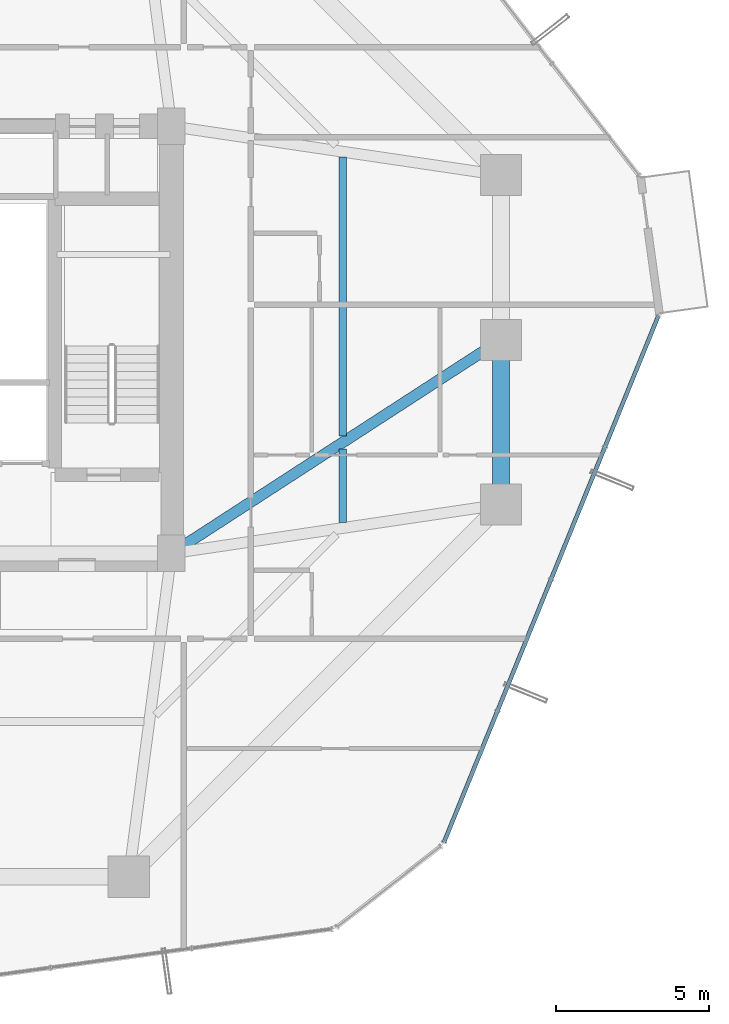
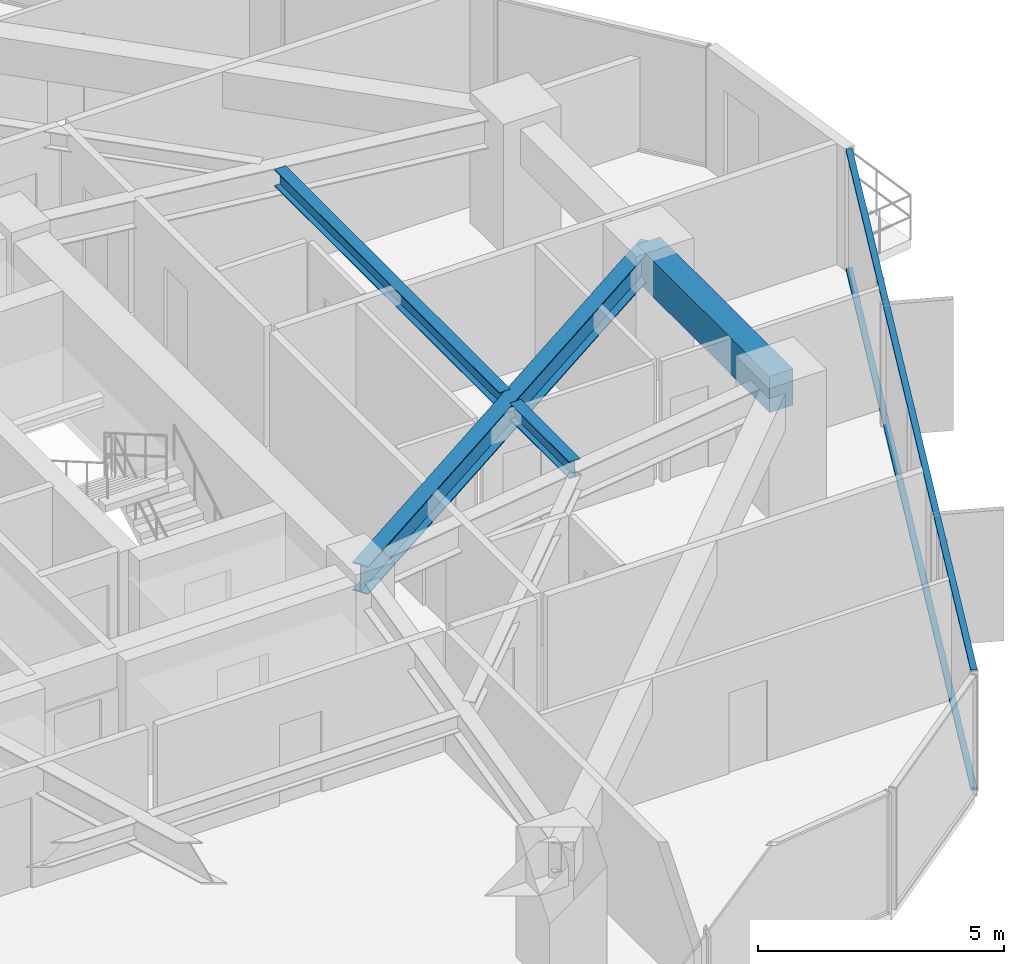
# One storey, part 17 of 37: 4 beams, 2 members, 1 element without a shape of its own.
"""IFC4 building model written with IfcOpenShell, lengths in metres."""

from ifc_helpers import new_model, si_unit, direction, frame, origin, origin_2d, place, context, subcontext, project, spatial, rectangle, hollow_rectangle, i_section, extrude, source, transform, mapped, material, layer, layer_set, material_profile, profile_set, type_object, element, aggregate, save


model = new_model("IFC4")

# Units and contexts
model_context = context("Model", 3, precision=1e-05, world=origin(), true_north=direction((0.0, 1.0)))
body_context = subcontext(model_context, "Body", "Model", "MODEL_VIEW")
ifc_project = project(units=[si_unit("LENGTHUNIT", "METRE"), si_unit("AREAUNIT", "SQUARE_METRE"), si_unit("VOLUMEUNIT", "CUBIC_METRE"), si_unit("PLANEANGLEUNIT", "RADIAN"), si_unit("MASSUNIT", "GRAM", prefix="KILO")], contexts=[model_context])

# Site, building, storey
site_placement = place(None, origin())
site = spatial("IfcSite", under=ifc_project, at=site_placement, CompositionType="ELEMENT")
building_placement = place(site_placement, origin())
building = spatial("IfcBuilding", under=site, at=building_placement, Name="Veraguas Prism Commons", CompositionType="ELEMENT")
storey_placement = place(building_placement, frame((0.0, 0.0, 50.050048828125)))
storey = spatial("IfcBuildingStorey", under=building, at=storey_placement, Name="L13", CompositionType="ELEMENT", Elevation=50.050048828125)

# Beams
ifc_material_1 = material(Name="Steel ASTM A992 Grade 50", Category="steel")
ifc_material_profile_1 = material_profile(ifc_material_1, i_section(OverallWidth=0.260986328125, OverallDepth=0.419921875, WebThickness=0.01171875, FlangeThickness=0.019287109375, at=origin_2d()), Name="W410X114")
ifc_profile_set_1 = profile_set([ifc_material_profile_1], Name="Steel ASTM A992 Grade 50")
beam_type_1 = type_object("IfcBeamType", Name="Lower Floor Joist W410x114", PredefinedType="JOIST", material=ifc_profile_set_1)
beam_1_placement = place(storey_placement, frame((36.416015625, 18.010009765625, 2.7900390625), z_axis=(0.0, 1.0, 0.0), x_axis=(-1.0, 0.0, 0.0)))
element("IfcBeam", 1, at=beam_1_placement, inside=storey, type_object=beam_type_1, Name="Composite Floor Joist L13-JS01", PredefinedType="JOIST", context=body_context, shape_type="SweptSolid", body=[
    extrude(i_section(OverallWidth=0.260986328125, OverallDepth=0.419921875, WebThickness=0.01171875, FlangeThickness=0.019287109375, at=origin_2d()), origin(), (0.0, 0.0, 1.0), 2.42041015625),
])
beam_2_placement = place(storey_placement, frame((36.416015625, 20.849609375, 2.7900390625), z_axis=(0.0, 1.0, 0.0), x_axis=(-1.0, 0.0, 0.0)))
element("IfcBeam", 2, at=beam_2_placement, inside=storey, type_object=beam_type_1, Name="Composite Floor Joist L13-JS02", PredefinedType="JOIST", context=body_context, shape_type="SweptSolid", body=[
    extrude(i_section(OverallWidth=0.260986328125, OverallDepth=0.419921875, WebThickness=0.01171875, FlangeThickness=0.019287109375, at=origin_2d()), origin(), (0.0, 0.0, 1.0), 9.140380859375),
])
ifc_material_2 = material(Name="Concrete C50/60", Category="concrete")
ifc_material_profile_2 = material_profile(ifc_material_2, rectangle(XDim=0.550048828125, YDim=0.89990234375, at=origin_2d()), Name="RC550X900")
ifc_profile_set_2 = profile_set([ifc_material_profile_2], Name="Concrete C50/60")
beam_type_2 = type_object("IfcBeamType", Name="Perimeter Spandrel Lower RC 550x900", PredefinedType="SPANDREL", material=ifc_profile_set_2)
beam_3_placement = place(storey_placement, frame((41.60009765625, 18.60009765625, 2.550048828125), z_axis=(0.0, 1.0, 0.0), x_axis=(-1.0, 0.0, 0.0)))
element("IfcBeam", 3, at=beam_3_placement, inside=storey, type_object=beam_type_2, Name="Perimeter Spandrel Beam L13-SP01", PredefinedType="SPANDREL", context=body_context, shape_type="SweptSolid", body=[
    extrude(rectangle(XDim=0.550048828125, YDim=0.89990234375, at=origin_2d()), origin(), (0.0, 0.0, 1.0), 5.39990234375),
])
ifc_material_profile_3 = material_profile(ifc_material_1, i_section(OverallWidth=0.35595703125, OverallDepth=0.700927734375, WebThickness=0.016845703125, FlangeThickness=0.02734375, at=origin_2d()), Name="W690X240")
ifc_profile_set_3 = profile_set([ifc_material_profile_3], Name="Steel ASTM A992 Grade 50")
beam_type_3 = type_object("IfcBeamType", Name="Zone 1 Radial Girder W690x240", PredefinedType="BEAM", material=ifc_profile_set_3)
beam_4_placement = place(storey_placement, frame((41.60009765625, 24.0, 2.6494140625), z_axis=(-0.839154108875, -0.543893722668, 0.0), x_axis=(0.543893722668, -0.839154108875, 0.0)))
element("IfcBeam", 4, at=beam_4_placement, inside=storey, type_object=beam_type_3, Name="Radial Floor Girder L13-RD02", PredefinedType="BEAM", context=body_context, shape_type="SweptSolid", body=[
    extrude(i_section(OverallWidth=0.35595703125, OverallDepth=0.700927734375, WebThickness=0.016845703125, FlangeThickness=0.02734375, at=origin_2d()), origin(), (0.0, 0.0, 1.0), 12.8701171875),
])

# Curtain wall, members
ifc_material_3 = material(Name="Anodised aluminium EN AW-6063 T6", Category="aluminium")
ifc_layer = layer(ifc_material_3, 0.169921875, Name="Unitised Flush Curtain Wall Zone 1", Category="aluminium")
ifc_layer_set = layer_set([ifc_layer], Name="Anodised aluminium EN AW-6063 T6")
curtain_wall_type = type_object("IfcCurtainWallType", Name="Unitised Flush Curtain Wall Zone 1", PredefinedType="NOTDEFINED", material=ifc_layer_set)
curtain_wall_placement = place(storey_placement, origin())
curtain_wall = element("IfcCurtainWall", 5, at=curtain_wall_placement, inside=storey, type_object=curtain_wall_type, Name="Tower Facade Curtain Wall L13-F6", PredefinedType="NOTDEFINED")
ifc_material_profile_4 = material_profile(ifc_material_3, hollow_rectangle(XDim=0.054931640625, YDim=0.135009765625, WallThickness=0.0029296875, at=origin_2d()), Name="AL55X135X3")
ifc_profile_set_4 = profile_set([ifc_material_profile_4], Name="Anodised aluminium EN AW-6063 T6")
member_type = type_object("IfcMemberType", Name="Curtain Wall Transom Standard AL 55x135x3", PredefinedType="USERDEFINED", material=ifc_profile_set_4)
shared_shape = source(origin(), body_context, "Body", "SweptSolid", [
    extrude(hollow_rectangle(XDim=0.054931640625, YDim=0.135009765625, WallThickness=0.0029296875, at=origin_2d()), origin(), (0.0, 0.0, 1.0), 18.623779296875),
])
member_1_placement = place(storey_placement, frame((39.73681640625, 7.5361328125, 0.02734375), z_axis=(0.377201111787, 0.926131373654, 0.0), x_axis=(0.0, 0.0, 1.0)))
member_1 = element("IfcMember", 6, at=member_1_placement, type_object=member_type, Name="CW-Z1 Transom 1", ObjectType="TRANSOM", PredefinedType="USERDEFINED", context=body_context, shape_type="MappedRepresentation", body=[
    mapped(shared_shape, transform((0.0, 0.0, 0.0), scale=1.0)),
])
member_2_placement = place(storey_placement, frame((39.73681640625, 7.5361328125, 2.972412109375), z_axis=(0.377201111787, 0.926131373654, 0.0), x_axis=(0.0, 0.0, 1.0)))
member_2 = element("IfcMember", 7, at=member_2_placement, type_object=member_type, Name="CW-Z1 Transom 2", ObjectType="TRANSOM", PredefinedType="USERDEFINED", context=body_context, shape_type="MappedRepresentation", body=[
    mapped(shared_shape, transform((0.0, 0.0, 0.0), scale=1.0)),
])
aggregate(curtain_wall, [member_1, member_2])

save(model, "model.ifc")
